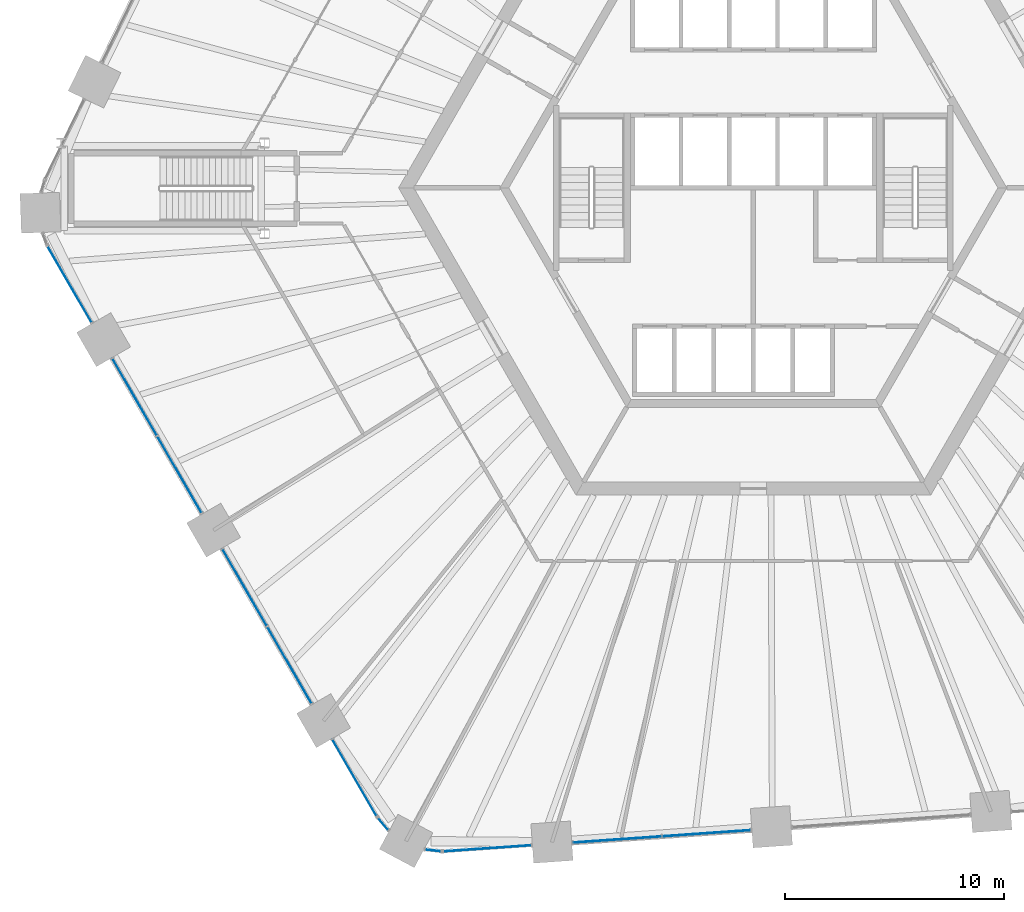
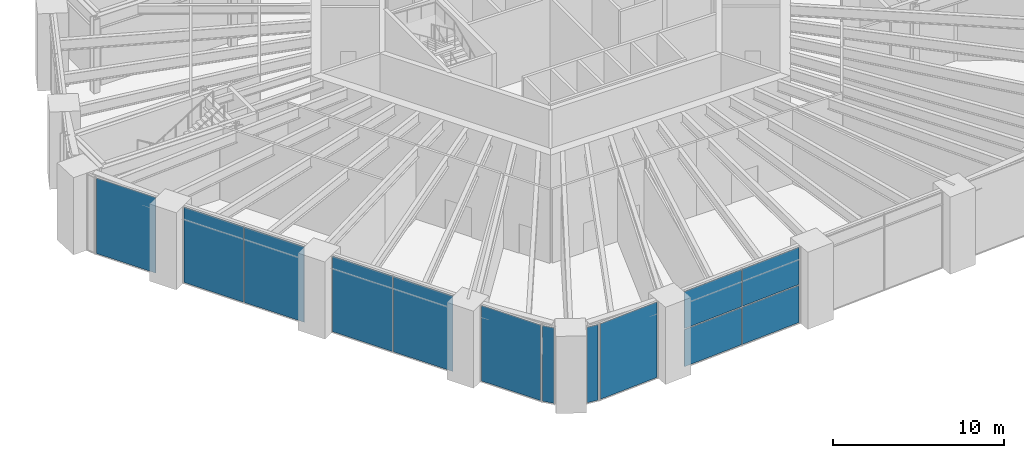
# One storey, part 14 of 30: 13 plates, 8 elements without a shape of their own.
"""IFC4 building model written with IfcOpenShell, lengths in metres."""

import ifcopenshell
import ifcopenshell.guid

model = None  # the IFC model being written
_history = None  # IfcOwnerHistory: only IFC2X3 demands one
_inside = {}  # id of a spatial element -> (the spatial element, [elements in it])
_under = {}  # id of a project, library or spatial element -> (it, [spatial elements below it])
_declared = {}  # id of a project -> (the project, [libraries it declares])
_typed = {}  # id of a type object -> (the type object, [elements of that type])
_made_of = {}  # id of a material, layer set ... -> (it, [elements and type objects made of it])


def new_model(schema):
    """Start an empty IFC model of exactly this schema.

    Asked for "IFC4X3", IfcOpenShell would pick the latest addendum, in which some entities
    have other attributes; the version numbers below select the first issue.
    IFC2X3 requires an IfcOwnerHistory on every rooted entity: one is made here for all.
    """
    global model, _history
    if schema == "IFC4X3":
        model = ifcopenshell.file(schema_version=(4, 3, 0, 0))
    else:
        model = ifcopenshell.file(schema=schema)
    _inside.clear()
    _under.clear()
    _declared.clear()
    _typed.clear()
    _made_of.clear()
    _history = None
    if model.schema == "IFC2X3":
        org = make("IfcOrganization", Name="unknown")
        user = make(
            "IfcPersonAndOrganization",
            ThePerson=make("IfcPerson", FamilyName="unknown"),
            TheOrganization=org,
        )
        app = make(
            "IfcApplication",
            ApplicationDeveloper=org,
            Version="unknown",
            ApplicationFullName="unknown",
            ApplicationIdentifier="unknown",
        )
        _history = make(
            "IfcOwnerHistory",
            OwningUser=user,
            OwningApplication=app,
            ChangeAction="ADDED",
            CreationDate=0,
        )
    return model


def make(cls, **values):
    """One entity of the class cls with the attributes given. An attribute that is None is left unset."""
    return model.create_entity(
        cls, **{name: value for name, value in values.items() if value is not None}
    )


def rooted(cls, **values):
    """An entity with a GlobalId (a new one), such as an element, a storey or a relation."""
    return make(cls, GlobalId=ifcopenshell.guid.new(), OwnerHistory=_history, **values)


def si_unit(unit_type, name, prefix=None):
    """IfcSIUnit, for example si_unit("LENGTHUNIT", "METRE", prefix="MILLI")."""
    return make("IfcSIUnit", UnitType=unit_type, Prefix=prefix, Name=name)


def assignment(units):
    """IfcUnitAssignment: the units of a project."""
    return None if units is None else make("IfcUnitAssignment", Units=units)


def point(xyz):
    """IfcCartesianPoint."""
    return None if xyz is None else make("IfcCartesianPoint", Coordinates=xyz)


def direction(xyz):
    """IfcDirection."""
    return None if xyz is None else make("IfcDirection", DirectionRatios=xyz)


def frame(location, z_axis=None, x_axis=None):
    """IfcAxis2Placement3D, a coordinate frame: its origin and axes. An axis left out is left unset."""
    return make(
        "IfcAxis2Placement3D",
        Location=point(location),
        Axis=direction(z_axis),
        RefDirection=direction(x_axis),
    )


def frame_2d(location, x_axis=None):
    """IfcAxis2Placement2D, a coordinate frame in the plane: its origin and x axis."""
    return make(
        "IfcAxis2Placement2D", Location=point(location), RefDirection=direction(x_axis)
    )


def origin():
    """The frame at (0, 0, 0) with its axes left unset."""
    return frame((0.0, 0.0, 0.0))


def origin_2d():
    """The frame at (0, 0) in the plane with its x axis left unset."""
    return frame_2d((0.0, 0.0))


def place(relative_to, where):
    """IfcLocalPlacement: puts the frame where relative to a parent placement (None: the world)."""
    return make(
        "IfcLocalPlacement", PlacementRelTo=relative_to, RelativePlacement=where
    )


def context(
    kind, dimensions, precision=None, world=None, true_north=None, identifier=None
):
    """IfcGeometricRepresentationContext, for example the 3D "Model" context."""
    return make(
        "IfcGeometricRepresentationContext",
        ContextIdentifier=identifier,
        ContextType=kind,
        CoordinateSpaceDimension=dimensions,
        Precision=precision,
        WorldCoordinateSystem=world,
        TrueNorth=true_north,
    )


def subcontext(parent, identifier, kind, view, scale=None):
    """IfcGeometricRepresentationSubContext, for example "Body" below "Model"."""
    return make(
        "IfcGeometricRepresentationSubContext",
        ContextIdentifier=identifier,
        ContextType=kind,
        ParentContext=parent,
        TargetScale=scale,
        TargetView=view,
    )


def project(units=None, contexts=None):
    """IfcProject with its units and contexts."""
    return rooted(
        "IfcProject",
        Name="project",
        RepresentationContexts=contexts,
        UnitsInContext=assignment(units),
    )


def spatial(cls, under=None, at=None, **own):
    """A site, building, storey or space (cls), placed at a placement, below another one or the project."""
    s = rooted(cls, ObjectPlacement=at, **own)
    if under is not None:
        _under.setdefault(under.id(), (under, []))[1].append(s)
    return s


def profile(cls, at=None, kind="AREA", **sizes):
    """A parametric profile (cls). Its sizes go by their IFC names, for example OverallWidth=200.0."""
    return make(cls, ProfileType=kind, Position=at, **sizes)


def rectangle(**sizes):
    """IfcRectangleProfileDef."""
    return profile("IfcRectangleProfileDef", **sizes)


def extrude(swept, where, along, depth):
    """IfcExtrudedAreaSolid: the profile swept, set in the frame where, extruded along a direction by depth."""
    return make(
        "IfcExtrudedAreaSolid",
        SweptArea=swept,
        Position=where,
        ExtrudedDirection=direction(along),
        Depth=depth,
    )


def shape(context_of_items, identifier, shape_type, items):
    """IfcShapeRepresentation: the items that make up one representation, for example the "Body"."""
    return make(
        "IfcShapeRepresentation",
        ContextOfItems=context_of_items,
        RepresentationIdentifier=identifier,
        RepresentationType=shape_type,
        Items=items,
    )


def material(Name=None, Category=None):
    """IfcMaterial."""
    return make("IfcMaterial", Name=Name, Category=Category)


def layer(
    of_material, thickness, ventilated=None, Name=None, Category=None, Priority=None
):
    """IfcMaterialLayer: one layer of a wall or slab, of a material (None: an air gap)."""
    return make(
        "IfcMaterialLayer",
        Material=of_material,
        LayerThickness=thickness,
        IsVentilated=ventilated,
        Name=Name,
        Category=Category,
        Priority=Priority,
    )


def layer_set(layers, Name=None):
    """IfcMaterialLayerSet."""
    return make("IfcMaterialLayerSet", MaterialLayers=layers, LayerSetName=Name)


def made_of(thing, what):
    """Note that an element or type object is made of a material, layer set ...; save() writes the relation."""
    if what is not None:
        _made_of.setdefault(what.id(), (what, []))[1].append(thing)
    return thing


def type_object(cls, material=None, **own):
    """A type object (cls), such as IfcWallType, which elements share."""
    return made_of(rooted(cls, **own), material)


def element(
    cls,
    number,
    at=None,
    inside=None,
    cuts=None,
    type_object=None,
    material=None,
    context=None,
    identifier="Body",
    shape_type=None,
    held_by="IfcProductDefinitionShape",
    body=None,
    shapes=None,
    **own,
):
    """One element of the class cls, such as IfcWall. Its Tag is "e" and its number.

    at: its placement. inside: the storey or other place that contains it. cuts: it is an
    opening in that element (IfcRelVoidsElement). A single representation is given by context,
    identifier, shape_type and body (its items); several are given by shapes. held_by: the class
    of the entity that holds the representations. save() writes the other relations.
    """
    e = rooted(cls, Tag="e%d" % number, ObjectPlacement=at, **own)
    if body is not None:
        shapes = [shape(context, identifier, shape_type, body)]
    if shapes is not None:
        e.Representation = make(held_by, Representations=shapes)
    if inside is not None:
        _inside.setdefault(inside.id(), (inside, []))[1].append(e)
    if cuts is not None:
        rooted(
            "IfcRelVoidsElement", RelatingBuildingElement=cuts, RelatedOpeningElement=e
        )
    if type_object is not None:
        _typed.setdefault(type_object.id(), (type_object, []))[1].append(e)
    return made_of(e, material)


def aggregate(whole, parts):
    """IfcRelAggregates: a whole, such as a stair, and the parts it consists of."""
    return rooted("IfcRelAggregates", RelatingObject=whole, RelatedObjects=parts)


def save(model, path):
    """Write the relations noted so far, then the file.

    IfcRelAggregates (storeys below a building ...), IfcRelContainedInSpatialStructure (elements
    in a storey), IfcRelDefinesByType, IfcRelAssociatesMaterial and IfcRelDeclares: one each for
    every whole, place, type object, material and project.
    """
    for whole, parts in _under.values():
        aggregate(whole, parts)
    for where, things in _inside.values():
        rooted(
            "IfcRelContainedInSpatialStructure",
            RelatedElements=things,
            RelatingStructure=where,
        )
    for kind, things in _typed.values():
        rooted("IfcRelDefinesByType", RelatedObjects=things, RelatingType=kind)
    for what, things in _made_of.values():
        rooted("IfcRelAssociatesMaterial", RelatedObjects=things, RelatingMaterial=what)
    for by, libraries in _declared.values():
        rooted("IfcRelDeclares", RelatingContext=by, RelatedDefinitions=libraries)
    model.write(path)


model = new_model("IFC4")

# Units and contexts
model_context = context("Model", 3, precision=1e-05, world=origin(), true_north=direction((0.0, 1.0)))
body_context = subcontext(model_context, "Body", "Model", "MODEL_VIEW")
ifc_project = project(units=[si_unit("LENGTHUNIT", "METRE"), si_unit("AREAUNIT", "SQUARE_METRE"), si_unit("VOLUMEUNIT", "CUBIC_METRE"), si_unit("PLANEANGLEUNIT", "RADIAN"), si_unit("MASSUNIT", "GRAM", prefix="KILO")], contexts=[model_context])

# Site, building, storey
site_placement = place(None, origin())
site = spatial("IfcSite", under=ifc_project, at=site_placement, CompositionType="ELEMENT")
building_placement = place(site_placement, origin())
building = spatial("IfcBuilding", under=site, at=building_placement, Name="Tarnside Tower", CompositionType="ELEMENT")
storey_placement = place(building_placement, frame((0.0, 0.0, 15.0)))
storey = spatial("IfcBuildingStorey", under=building, at=storey_placement, Name="L02", CompositionType="ELEMENT", Elevation=15.0)

# Curtain wall, plates
ifc_material_1 = material(Name="Lobby entrance glazing wall", Category="glass")
curtain_wall_type_1 = type_object("IfcCurtainWallType", Name="Lobby entrance glazing wall", PredefinedType="NOTDEFINED", material=ifc_material_1)
curtain_wall_1_placement = place(storey_placement, origin())
curtain_wall_1 = element("IfcCurtainWall", 1, at=curtain_wall_1_placement, inside=storey, type_object=curtain_wall_type_1, Name="Lobby entrance glazing L02 12.0", PredefinedType="NOTDEFINED")
ifc_material_2 = material(Name="Low-iron safety glass", Category="glass")
ifc_layer_1 = layer(ifc_material_2, 0.030029296875)
ifc_layer_set_1 = layer_set([ifc_layer_1], Name="Lobby entrance glazing panel 30")
plate_type_1 = type_object("IfcPlateType", Name="Lobby entrance glazing panel 30", PredefinedType="CURTAIN_PANEL", material=ifc_layer_set_1)
plate_1_placement = place(storey_placement, frame((-6.205078125, -29.695068359375, -0.179931640625), z_axis=(0.0, 0.0, 1.0), x_axis=(0.997564050257, 0.069756473779, 0.0)))
plate_1 = element("IfcPlate", 2, at=plate_1_placement, type_object=plate_type_1, Name="CW3 panel 1.1", PredefinedType="CURTAIN_PANEL", context=body_context, shape_type="SweptSolid", body=[
    extrude(rectangle(XDim=4.0068359375, YDim=0.030029296875, at=origin_2d()), origin(), (0.0, 0.0, 1.0), 2.64501953125),
])
plate_2_placement = place(storey_placement, frame((-6.205078125, -29.695068359375, 2.534912109375), z_axis=(0.0, 0.0, 1.0), x_axis=(0.997564050257, 0.069756473779, 0.0)))
plate_2 = element("IfcPlate", 3, at=plate_2_placement, type_object=plate_type_1, Name="CW3 panel 1.2", PredefinedType="CURTAIN_PANEL", context=body_context, shape_type="SweptSolid", body=[
    extrude(rectangle(XDim=4.0068359375, YDim=0.030029296875, at=origin_2d()), origin(), (0.0, 0.0, 1.0), 2.64501953125),
])
plate_3_placement = place(storey_placement, frame((-2.13818359375, -29.410888671875, -0.179931640625), z_axis=(0.0, 0.0, 1.0), x_axis=(0.997564050257, 0.069756473779, 0.0)))
plate_3 = element("IfcPlate", 4, at=plate_3_placement, type_object=plate_type_1, Name="CW3 panel 2.1", PredefinedType="CURTAIN_PANEL", context=body_context, shape_type="SweptSolid", body=[
    extrude(rectangle(XDim=4.0068359375, YDim=0.030029296875, at=origin_2d()), origin(), (0.0, 0.0, 1.0), 2.64501953125),
])
plate_4_placement = place(storey_placement, frame((-2.13818359375, -29.410888671875, 2.534912109375), z_axis=(0.0, 0.0, 1.0), x_axis=(0.997564050257, 0.069756473779, 0.0)))
plate_4 = element("IfcPlate", 5, at=plate_4_placement, type_object=plate_type_1, Name="CW3 panel 2.2", PredefinedType="CURTAIN_PANEL", context=body_context, shape_type="SweptSolid", body=[
    extrude(rectangle(XDim=4.0068359375, YDim=0.030029296875, at=origin_2d()), origin(), (0.0, 0.0, 1.0), 2.64501953125),
])
aggregate(curtain_wall_1, [plate_1, plate_2, plate_3, plate_4])

# Curtain wall, plate
ifc_material_3 = material(Name="Retail shopfront glazing wall", Category="glass")
curtain_wall_type_2 = type_object("IfcCurtainWallType", Name="Retail shopfront glazing wall", PredefinedType="NOTDEFINED", material=ifc_material_3)
curtain_wall_2_placement = place(storey_placement, origin())
curtain_wall_2 = element("IfcCurtainWall", 6, at=curtain_wall_2_placement, inside=storey, type_object=curtain_wall_type_2, Name="Retail shopfront glazing L02 07.1", PredefinedType="NOTDEFINED")
ifc_layer_2 = layer(ifc_material_2, 0.028076171875)
ifc_layer_set_2 = layer_set([ifc_layer_2], Name="Retail shopfront glazing panel 28")
plate_type_2 = type_object("IfcPlateType", Name="Retail shopfront glazing panel 28", PredefinedType="CURTAIN_PANEL", material=ifc_layer_set_2)
plate_5_placement = place(storey_placement, frame((-31.15478515625, -4.398193359375, -0.18994140625), z_axis=(0.0, 0.0, 1.0), x_axis=(0.50000000003, -0.866025403767, 0.0)))
plate_5 = element("IfcPlate", 7, at=plate_5_placement, type_object=plate_type_2, Name="CW2 panel 1.1", PredefinedType="CURTAIN_PANEL", context=body_context, shape_type="SweptSolid", body=[
    extrude(rectangle(XDim=3.991943359375, YDim=0.028076171875, at=origin_2d()), origin(), (0.0, 0.0, 1.0), 5.3798828125),
])
aggregate(curtain_wall_2, [plate_5])

# Curtain wall, plates
curtain_wall_3_placement = place(storey_placement, origin())
curtain_wall_3 = element("IfcCurtainWall", 8, at=curtain_wall_3_placement, inside=storey, type_object=curtain_wall_type_2, Name="Retail shopfront glazing L02 08.0", PredefinedType="NOTDEFINED")
plate_6_placement = place(storey_placement, frame((-28.19140625, -9.531005859375, -0.18994140625), z_axis=(0.0, 0.0, 1.0), x_axis=(0.49999999994, -0.866025403819, 0.0)))
plate_6 = element("IfcPlate", 9, at=plate_6_placement, type_object=plate_type_2, Name="CW2 panel 1.1", PredefinedType="CURTAIN_PANEL", context=body_context, shape_type="SweptSolid", body=[
    extrude(rectangle(XDim=4.021728515625, YDim=0.028076171875, at=origin_2d()), origin(), (0.0, 0.0, 1.0), 5.3798828125),
])
plate_7_placement = place(storey_placement, frame((-26.150634765625, -13.06591796875, -0.18994140625), z_axis=(0.0, 0.0, 1.0), x_axis=(0.49999999994, -0.866025403819, 0.0)))
plate_7 = element("IfcPlate", 10, at=plate_7_placement, type_object=plate_type_2, Name="CW2 panel 2.1", PredefinedType="CURTAIN_PANEL", context=body_context, shape_type="SweptSolid", body=[
    extrude(rectangle(XDim=4.021728515625, YDim=0.028076171875, at=origin_2d()), origin(), (0.0, 0.0, 1.0), 5.3798828125),
])
aggregate(curtain_wall_3, [plate_6, plate_7])

curtain_wall_4_placement = place(storey_placement, origin())
curtain_wall_4 = element("IfcCurtainWall", 11, at=curtain_wall_4_placement, inside=storey, type_object=curtain_wall_type_2, Name="Retail shopfront glazing L02 09.0", PredefinedType="NOTDEFINED")
plate_8_placement = place(storey_placement, frame((-23.1796875, -18.211669921875, -0.18994140625), z_axis=(0.0, 0.0, 1.0), x_axis=(0.500000000076, -0.866025403741, 0.0)))
plate_8 = element("IfcPlate", 12, at=plate_8_placement, type_object=plate_type_2, Name="CW2 panel 1.1", PredefinedType="CURTAIN_PANEL", context=body_context, shape_type="SweptSolid", body=[
    extrude(rectangle(XDim=4.021728515625, YDim=0.028076171875, at=origin_2d()), origin(), (0.0, 0.0, 1.0), 5.3798828125),
])
plate_9_placement = place(storey_placement, frame((-21.138671875, -21.74658203125, -0.18994140625), z_axis=(0.0, 0.0, 1.0), x_axis=(0.500000000076, -0.866025403741, 0.0)))
plate_9 = element("IfcPlate", 13, at=plate_9_placement, type_object=plate_type_2, Name="CW2 panel 2.1", PredefinedType="CURTAIN_PANEL", context=body_context, shape_type="SweptSolid", body=[
    extrude(rectangle(XDim=4.021728515625, YDim=0.028076171875, at=origin_2d()), origin(), (0.0, 0.0, 1.0), 5.3798828125),
])
aggregate(curtain_wall_4, [plate_8, plate_9])

# Curtain wall, plate
curtain_wall_5_placement = place(storey_placement, origin())
curtain_wall_5 = element("IfcCurtainWall", 14, at=curtain_wall_5_placement, inside=storey, type_object=curtain_wall_type_2, Name="Retail shopfront glazing L02 10.0", PredefinedType="NOTDEFINED")
plate_10_placement = place(storey_placement, frame((-18.17529296875, -26.87939453125, -0.18994140625), z_axis=(0.0, 0.0, 1.0), x_axis=(0.499999999849, -0.866025403872, 0.0)))
plate_10 = element("IfcPlate", 15, at=plate_10_placement, type_object=plate_type_2, Name="CW2 panel 1.1", PredefinedType="CURTAIN_PANEL", context=body_context, shape_type="SweptSolid", body=[
    extrude(rectangle(XDim=3.991943359375, YDim=0.028076171875, at=origin_2d()), origin(), (0.0, 0.0, 1.0), 5.3798828125),
])
aggregate(curtain_wall_5, [plate_10])

curtain_wall_6_placement = place(storey_placement, origin())
curtain_wall_6 = element("IfcCurtainWall", 16, at=curtain_wall_6_placement, inside=storey, type_object=curtain_wall_type_2, Name="Retail shopfront glazing L02 10.1", PredefinedType="NOTDEFINED")
plate_11_placement = place(storey_placement, frame((-16.87109375, -28.983642578125, -0.18994140625), z_axis=(0.0, 0.0, 1.0), x_axis=(0.651657228826, -0.758513583345, 0.0)))
plate_11 = element("IfcPlate", 17, at=plate_11_placement, type_object=plate_type_2, Name="CW2 panel 1.1", PredefinedType="CURTAIN_PANEL", context=body_context, shape_type="SweptSolid", body=[
    extrude(rectangle(XDim=0.701416015625, YDim=0.028076171875, at=origin_2d()), origin(), (0.0, 0.0, 1.0), 5.3798828125),
])
aggregate(curtain_wall_6, [plate_11])

curtain_wall_7_placement = place(storey_placement, origin())
curtain_wall_7 = element("IfcCurtainWall", 18, at=curtain_wall_7_placement, inside=storey, type_object=curtain_wall_type_2, Name="Retail shopfront glazing L02 11.0", PredefinedType="NOTDEFINED")
plate_12_placement = place(storey_placement, frame((-14.59423828125, -30.194091796875, -0.18994140625), z_axis=(0.0, 0.0, 1.0), x_axis=(0.993238357751, -0.116092914044, 0.0)))
plate_12 = element("IfcPlate", 19, at=plate_12_placement, type_object=plate_type_2, Name="CW2 panel 1.1", PredefinedType="CURTAIN_PANEL", context=body_context, shape_type="SweptSolid", body=[
    extrude(rectangle(XDim=0.701416015625, YDim=0.028076171875, at=origin_2d()), origin(), (0.0, 0.0, 1.0), 5.3798828125),
])
aggregate(curtain_wall_7, [plate_12])

curtain_wall_8_placement = place(storey_placement, origin())
curtain_wall_8 = element("IfcCurtainWall", 20, at=curtain_wall_8_placement, inside=storey, type_object=curtain_wall_type_2, Name="Retail shopfront glazing L02 11.1", PredefinedType="NOTDEFINED")
plate_13_placement = place(storey_placement, frame((-12.12060546875, -30.098876953125, -0.18994140625), z_axis=(0.0, 0.0, 1.0), x_axis=(0.997564050248, 0.069756473918, 0.0)))
plate_13 = element("IfcPlate", 21, at=plate_13_placement, type_object=plate_type_2, Name="CW2 panel 1.1", PredefinedType="CURTAIN_PANEL", context=body_context, shape_type="SweptSolid", body=[
    extrude(rectangle(XDim=3.991943359375, YDim=0.028076171875, at=origin_2d()), origin(), (0.0, 0.0, 1.0), 5.3798828125),
])
aggregate(curtain_wall_8, [plate_13])

save(model, "model.ifc")
